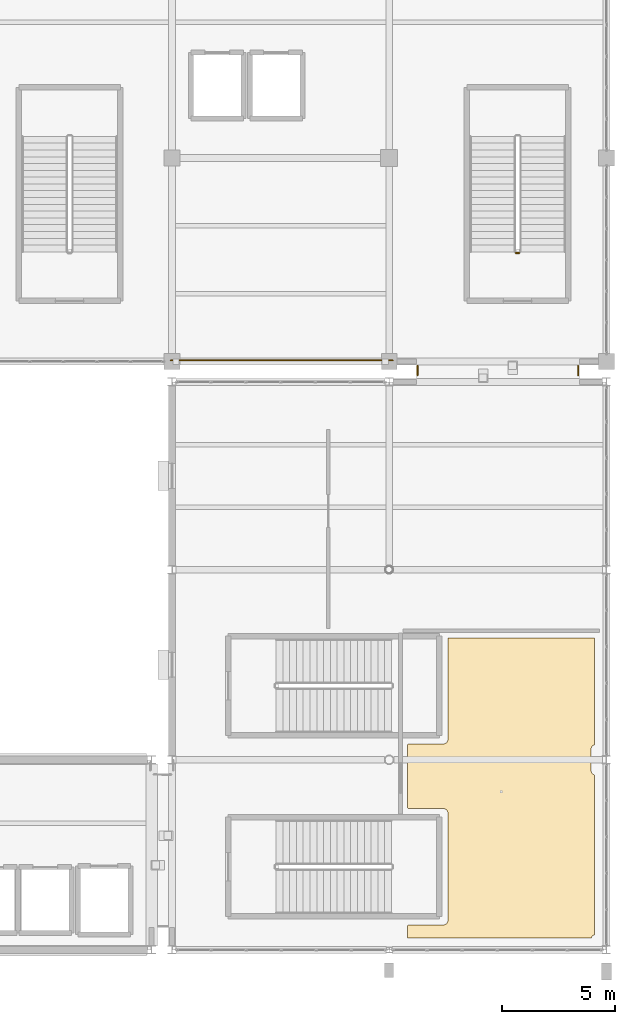
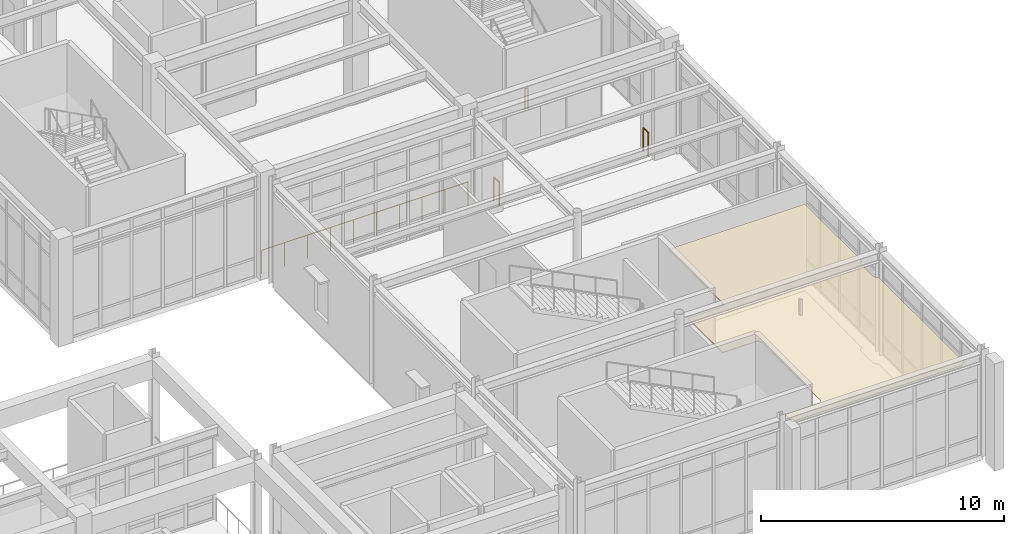
# One storey, part 76 of 80: 4 railings, 1 covering.
"""IFC4 building model written with IfcOpenShell, lengths in metres."""

import ifcopenshell
import ifcopenshell.guid

model = None  # the IFC model being written
_history = None  # IfcOwnerHistory: only IFC2X3 demands one
_inside = {}  # id of a spatial element -> (the spatial element, [elements in it])
_under = {}  # id of a project, library or spatial element -> (it, [spatial elements below it])
_declared = {}  # id of a project -> (the project, [libraries it declares])
_typed = {}  # id of a type object -> (the type object, [elements of that type])
_made_of = {}  # id of a material, layer set ... -> (it, [elements and type objects made of it])


def new_model(schema):
    """Start an empty IFC model of exactly this schema.

    Asked for "IFC4X3", IfcOpenShell would pick the latest addendum, in which some entities
    have other attributes; the version numbers below select the first issue.
    IFC2X3 requires an IfcOwnerHistory on every rooted entity: one is made here for all.
    """
    global model, _history
    if schema == "IFC4X3":
        model = ifcopenshell.file(schema_version=(4, 3, 0, 0))
    else:
        model = ifcopenshell.file(schema=schema)
    _inside.clear()
    _under.clear()
    _declared.clear()
    _typed.clear()
    _made_of.clear()
    _history = None
    if model.schema == "IFC2X3":
        org = make("IfcOrganization", Name="unknown")
        user = make(
            "IfcPersonAndOrganization",
            ThePerson=make("IfcPerson", FamilyName="unknown"),
            TheOrganization=org,
        )
        app = make(
            "IfcApplication",
            ApplicationDeveloper=org,
            Version="unknown",
            ApplicationFullName="unknown",
            ApplicationIdentifier="unknown",
        )
        _history = make(
            "IfcOwnerHistory",
            OwningUser=user,
            OwningApplication=app,
            ChangeAction="ADDED",
            CreationDate=0,
        )
    return model


def make(cls, **values):
    """One entity of the class cls with the attributes given. An attribute that is None is left unset."""
    return model.create_entity(
        cls, **{name: value for name, value in values.items() if value is not None}
    )


def rooted(cls, **values):
    """An entity with a GlobalId (a new one), such as an element, a storey or a relation."""
    return make(cls, GlobalId=ifcopenshell.guid.new(), OwnerHistory=_history, **values)


def si_unit(unit_type, name, prefix=None):
    """IfcSIUnit, for example si_unit("LENGTHUNIT", "METRE", prefix="MILLI")."""
    return make("IfcSIUnit", UnitType=unit_type, Prefix=prefix, Name=name)


def assignment(units):
    """IfcUnitAssignment: the units of a project."""
    return None if units is None else make("IfcUnitAssignment", Units=units)


def point(xyz):
    """IfcCartesianPoint."""
    return None if xyz is None else make("IfcCartesianPoint", Coordinates=xyz)


def direction(xyz):
    """IfcDirection."""
    return None if xyz is None else make("IfcDirection", DirectionRatios=xyz)


def frame(location, z_axis=None, x_axis=None):
    """IfcAxis2Placement3D, a coordinate frame: its origin and axes. An axis left out is left unset."""
    return make(
        "IfcAxis2Placement3D",
        Location=point(location),
        Axis=direction(z_axis),
        RefDirection=direction(x_axis),
    )


def frame_2d(location, x_axis=None):
    """IfcAxis2Placement2D, a coordinate frame in the plane: its origin and x axis."""
    return make(
        "IfcAxis2Placement2D", Location=point(location), RefDirection=direction(x_axis)
    )


def origin():
    """The frame at (0, 0, 0) with its axes left unset."""
    return frame((0.0, 0.0, 0.0))


def origin_2d():
    """The frame at (0, 0) in the plane with its x axis left unset."""
    return frame_2d((0.0, 0.0))


def place(relative_to, where):
    """IfcLocalPlacement: puts the frame where relative to a parent placement (None: the world)."""
    return make(
        "IfcLocalPlacement", PlacementRelTo=relative_to, RelativePlacement=where
    )


def context(
    kind, dimensions, precision=None, world=None, true_north=None, identifier=None
):
    """IfcGeometricRepresentationContext, for example the 3D "Model" context."""
    return make(
        "IfcGeometricRepresentationContext",
        ContextIdentifier=identifier,
        ContextType=kind,
        CoordinateSpaceDimension=dimensions,
        Precision=precision,
        WorldCoordinateSystem=world,
        TrueNorth=true_north,
    )


def subcontext(parent, identifier, kind, view, scale=None):
    """IfcGeometricRepresentationSubContext, for example "Body" below "Model"."""
    return make(
        "IfcGeometricRepresentationSubContext",
        ContextIdentifier=identifier,
        ContextType=kind,
        ParentContext=parent,
        TargetScale=scale,
        TargetView=view,
    )


def project(units=None, contexts=None):
    """IfcProject with its units and contexts."""
    return rooted(
        "IfcProject",
        Name="project",
        RepresentationContexts=contexts,
        UnitsInContext=assignment(units),
    )


def spatial(cls, under=None, at=None, **own):
    """A site, building, storey or space (cls), placed at a placement, below another one or the project."""
    s = rooted(cls, ObjectPlacement=at, **own)
    if under is not None:
        _under.setdefault(under.id(), (under, []))[1].append(s)
    return s


def polyline(points):
    """IfcPolyline through the points."""
    return make("IfcPolyline", Points=[point(p) for p in points])


def profile(cls, at=None, kind="AREA", **sizes):
    """A parametric profile (cls). Its sizes go by their IFC names, for example OverallWidth=200.0."""
    return make(cls, ProfileType=kind, Position=at, **sizes)


def circle(**sizes):
    """IfcCircleProfileDef."""
    return profile("IfcCircleProfileDef", **sizes)


def outline(outer, holes=None, kind="AREA"):
    """IfcArbitraryClosedProfileDef: a profile drawn as a closed curve; with holes, ...WithVoids."""
    if holes is None:
        return make("IfcArbitraryClosedProfileDef", ProfileType=kind, OuterCurve=outer)
    return make(
        "IfcArbitraryProfileDefWithVoids",
        ProfileType=kind,
        OuterCurve=outer,
        InnerCurves=holes,
    )


def extrude(swept, where, along, depth):
    """IfcExtrudedAreaSolid: the profile swept, set in the frame where, extruded along a direction by depth."""
    return make(
        "IfcExtrudedAreaSolid",
        SweptArea=swept,
        Position=where,
        ExtrudedDirection=direction(along),
        Depth=depth,
    )


def shape(context_of_items, identifier, shape_type, items):
    """IfcShapeRepresentation: the items that make up one representation, for example the "Body"."""
    return make(
        "IfcShapeRepresentation",
        ContextOfItems=context_of_items,
        RepresentationIdentifier=identifier,
        RepresentationType=shape_type,
        Items=items,
    )


def material(Name=None, Category=None):
    """IfcMaterial."""
    return make("IfcMaterial", Name=Name, Category=Category)


def layer(
    of_material, thickness, ventilated=None, Name=None, Category=None, Priority=None
):
    """IfcMaterialLayer: one layer of a wall or slab, of a material (None: an air gap)."""
    return make(
        "IfcMaterialLayer",
        Material=of_material,
        LayerThickness=thickness,
        IsVentilated=ventilated,
        Name=Name,
        Category=Category,
        Priority=Priority,
    )


def layer_set(layers, Name=None):
    """IfcMaterialLayerSet."""
    return make("IfcMaterialLayerSet", MaterialLayers=layers, LayerSetName=Name)


def made_of(thing, what):
    """Note that an element or type object is made of a material, layer set ...; save() writes the relation."""
    if what is not None:
        _made_of.setdefault(what.id(), (what, []))[1].append(thing)
    return thing


def type_object(cls, material=None, **own):
    """A type object (cls), such as IfcWallType, which elements share."""
    return made_of(rooted(cls, **own), material)


def element(
    cls,
    number,
    at=None,
    inside=None,
    cuts=None,
    type_object=None,
    material=None,
    context=None,
    identifier="Body",
    shape_type=None,
    held_by="IfcProductDefinitionShape",
    body=None,
    shapes=None,
    **own,
):
    """One element of the class cls, such as IfcWall. Its Tag is "e" and its number.

    at: its placement. inside: the storey or other place that contains it. cuts: it is an
    opening in that element (IfcRelVoidsElement). A single representation is given by context,
    identifier, shape_type and body (its items); several are given by shapes. held_by: the class
    of the entity that holds the representations. save() writes the other relations.
    """
    e = rooted(cls, Tag="e%d" % number, ObjectPlacement=at, **own)
    if body is not None:
        shapes = [shape(context, identifier, shape_type, body)]
    if shapes is not None:
        e.Representation = make(held_by, Representations=shapes)
    if inside is not None:
        _inside.setdefault(inside.id(), (inside, []))[1].append(e)
    if cuts is not None:
        rooted(
            "IfcRelVoidsElement", RelatingBuildingElement=cuts, RelatedOpeningElement=e
        )
    if type_object is not None:
        _typed.setdefault(type_object.id(), (type_object, []))[1].append(e)
    return made_of(e, material)


def aggregate(whole, parts):
    """IfcRelAggregates: a whole, such as a stair, and the parts it consists of."""
    return rooted("IfcRelAggregates", RelatingObject=whole, RelatedObjects=parts)


def save(model, path):
    """Write the relations noted so far, then the file.

    IfcRelAggregates (storeys below a building ...), IfcRelContainedInSpatialStructure (elements
    in a storey), IfcRelDefinesByType, IfcRelAssociatesMaterial and IfcRelDeclares: one each for
    every whole, place, type object, material and project.
    """
    for whole, parts in _under.values():
        aggregate(whole, parts)
    for where, things in _inside.values():
        rooted(
            "IfcRelContainedInSpatialStructure",
            RelatedElements=things,
            RelatingStructure=where,
        )
    for kind, things in _typed.values():
        rooted("IfcRelDefinesByType", RelatedObjects=things, RelatingType=kind)
    for what, things in _made_of.values():
        rooted("IfcRelAssociatesMaterial", RelatedObjects=things, RelatingMaterial=what)
    for by, libraries in _declared.values():
        rooted("IfcRelDeclares", RelatingContext=by, RelatedDefinitions=libraries)
    model.write(path)


model = new_model("IFC4")

# Units and contexts
model_context = context("Model", 3, precision=1e-05, world=origin(), true_north=direction((0.0, 1.0)))
body_context = subcontext(model_context, "Body", "Model", "MODEL_VIEW")
ifc_project = project(units=[si_unit("LENGTHUNIT", "METRE"), si_unit("AREAUNIT", "SQUARE_METRE"), si_unit("VOLUMEUNIT", "CUBIC_METRE"), si_unit("PLANEANGLEUNIT", "RADIAN"), si_unit("MASSUNIT", "GRAM", prefix="KILO")], contexts=[model_context])

# Site, building, storey
site_placement = place(None, origin())
site = spatial("IfcSite", under=ifc_project, at=site_placement, CompositionType="ELEMENT")
building_placement = place(site_placement, origin())
building = spatial("IfcBuilding", under=site, at=building_placement, Name="Canglan Escarpment Cableway Terminal", CompositionType="ELEMENT")
storey_placement = place(building_placement, frame((0.0, 0.0, 19.199951171875)))
storey = spatial("IfcBuildingStorey", under=building, at=storey_placement, Name="L04", CompositionType="ELEMENT", Elevation=19.199951171875)

# Covering
ifc_material_1 = material(Name="Micro-perforated acoustic aluminium ceiling", Category="aluminium")
ifc_layer = layer(ifc_material_1, 0.0400390625, Name="Micro-perforated acoustic aluminium ceiling")
ifc_layer_set = layer_set([ifc_layer], Name="Micro-perforated acoustic aluminium ceiling")
covering_type = type_object("IfcCoveringType", Name="COV-CEIL-ACOUSTIC-40", PredefinedType="CEILING", material=ifc_layer_set)
covering_placement = place(storey_placement, frame((0.0, 0.0, 4.340087890625)))
element("IfcCovering", 1, at=covering_placement, inside=storey, type_object=covering_type, Name="Commercial Kitchen suspended acoustic ceiling", PredefinedType="CEILING", context=body_context, shape_type="SweptSolid", body=[
    extrude(outline(polyline([(165.73291015625, 8.533203125), (165.732177734375, 8.531494140625), (165.731201171875, 8.529541015625), (165.72998046875, 8.52783203125), (165.728515625, 8.5263671875), (165.72705078125, 8.52490234375), (165.7255859375, 8.523681640625), (165.723876953125, 8.522705078125), (165.721923828125, 8.521728515625), (165.719970703125, 8.52099609375), (165.718017578125, 8.5205078125), (165.716064453125, 8.52001953125), (165.714111328125, 8.52001953125), (157.639892578125, 8.52001953125), (157.637939453125, 8.52001953125), (157.635986328125, 8.5205078125), (157.63427734375, 8.52099609375), (157.63232421875, 8.521484375), (157.630615234375, 8.5224609375), (157.62890625, 8.5234375), (157.627197265625, 8.5244140625), (157.6259765625, 8.52587890625), (157.62451171875, 8.52734375), (157.623291015625, 8.52880859375), (157.622314453125, 8.530517578125), (157.62158203125, 8.5322265625), (157.620849609375, 8.5341796875), (157.620361328125, 8.5361328125), (157.6201171875, 8.5380859375), (157.6201171875, 8.5400390625), (157.6201171875, 9.080078125), (157.6201171875, 9.08203125), (157.620361328125, 9.083984375), (157.620849609375, 9.085693359375), (157.62158203125, 9.087646484375), (157.622314453125, 9.08935546875), (157.623291015625, 9.091064453125), (157.62451171875, 9.0927734375), (157.6259765625, 9.093994140625), (157.627197265625, 9.095458984375), (157.62890625, 9.0966796875), (157.630615234375, 9.09765625), (157.63232421875, 9.098388671875), (157.63427734375, 9.09912109375), (157.635986328125, 9.099609375), (157.637939453125, 9.099853515625), (157.639892578125, 9.10009765625), (159.1796875, 9.10009765625), (159.18017578125, 9.10009765625), (159.201171875, 9.10107421875), (159.201904296875, 9.10107421875), (159.222412109375, 9.104248046875), (159.223388671875, 9.104248046875), (159.243408203125, 9.109375), (159.244384765625, 9.109619140625), (159.263671875, 9.11669921875), (159.2646484375, 9.116943359375), (159.283203125, 9.125732421875), (159.2841796875, 9.126220703125), (159.3017578125, 9.13671875), (159.302490234375, 9.137451171875), (159.319091796875, 9.149658203125), (159.31982421875, 9.150390625), (159.335205078125, 9.1640625), (159.3359375, 9.164794921875), (159.349609375, 9.18017578125), (159.350341796875, 9.180908203125), (159.362548828125, 9.197509765625), (159.36328125, 9.1982421875), (159.373779296875, 9.2158203125), (159.374267578125, 9.216796875), (159.383056640625, 9.2353515625), (159.38330078125, 9.236328125), (159.390380859375, 9.255615234375), (159.390625, 9.256591796875), (159.395751953125, 9.276611328125), (159.395751953125, 9.277587890625), (159.39892578125, 9.298095703125), (159.39892578125, 9.298828125), (159.39990234375, 9.31982421875), (159.39990234375, 9.3203125), (159.39990234375, 14.02978515625), (159.39990234375, 14.0302734375), (159.39892578125, 14.051025390625), (159.39892578125, 14.052001953125), (159.395751953125, 14.072509765625), (159.395751953125, 14.073486328125), (159.390625, 14.093505859375), (159.390380859375, 14.09423828125), (159.38330078125, 14.11376953125), (159.383056640625, 14.114501953125), (159.374267578125, 14.13330078125), (159.373779296875, 14.134033203125), (159.36328125, 14.15185546875), (159.362548828125, 14.152587890625), (159.350341796875, 14.169189453125), (159.349609375, 14.169921875), (159.3359375, 14.185302734375), (159.335205078125, 14.185791015625), (159.31982421875, 14.19970703125), (159.319091796875, 14.200439453125), (159.302490234375, 14.212646484375), (159.3017578125, 14.213134765625), (159.2841796875, 14.223876953125), (159.283203125, 14.22412109375), (159.2646484375, 14.23291015625), (159.263671875, 14.2333984375), (159.244384765625, 14.240478515625), (159.243408203125, 14.240478515625), (159.223388671875, 14.24560546875), (159.222412109375, 14.245849609375), (159.201904296875, 14.248779296875), (159.201171875, 14.2490234375), (159.18017578125, 14.25), (159.1796875, 14.25), (157.639892578125, 14.25), (157.637939453125, 14.25), (157.635986328125, 14.25048828125), (157.63427734375, 14.2509765625), (157.63232421875, 14.25146484375), (157.630615234375, 14.25244140625), (157.62890625, 14.25341796875), (157.627197265625, 14.25439453125), (157.6259765625, 14.255859375), (157.62451171875, 14.25732421875), (157.623291015625, 14.2587890625), (157.622314453125, 14.260498046875), (157.62158203125, 14.26220703125), (157.620849609375, 14.26416015625), (157.620361328125, 14.26611328125), (157.6201171875, 14.26806640625), (157.6201171875, 14.27001953125), (157.6201171875, 17.080078125), (157.6201171875, 17.08203125), (157.620361328125, 17.083984375), (157.620849609375, 17.085693359375), (157.62158203125, 17.087646484375), (157.622314453125, 17.08935546875), (157.623291015625, 17.091064453125), (157.62451171875, 17.0927734375), (157.6259765625, 17.093994140625), (157.627197265625, 17.095458984375), (157.62890625, 17.0966796875), (157.630615234375, 17.09765625), (157.63232421875, 17.098388671875), (157.63427734375, 17.09912109375), (157.635986328125, 17.099609375), (157.637939453125, 17.099853515625), (157.639892578125, 17.10009765625), (159.1796875, 17.10009765625), (159.18017578125, 17.10009765625), (159.201171875, 17.10107421875), (159.201904296875, 17.10107421875), (159.222412109375, 17.104248046875), (159.223388671875, 17.104248046875), (159.243408203125, 17.109375), (159.244384765625, 17.109619140625), (159.263671875, 17.11669921875), (159.2646484375, 17.116943359375), (159.283203125, 17.125732421875), (159.2841796875, 17.126220703125), (159.3017578125, 17.13671875), (159.302490234375, 17.137451171875), (159.319091796875, 17.149658203125), (159.31982421875, 17.150390625), (159.335205078125, 17.1640625), (159.3359375, 17.164794921875), (159.349609375, 17.18017578125), (159.350341796875, 17.180908203125), (159.362548828125, 17.197509765625), (159.36328125, 17.1982421875), (159.373779296875, 17.2158203125), (159.374267578125, 17.216796875), (159.383056640625, 17.2353515625), (159.38330078125, 17.236328125), (159.390380859375, 17.255615234375), (159.390625, 17.256591796875), (159.395751953125, 17.276611328125), (159.395751953125, 17.277587890625), (159.39892578125, 17.298095703125), (159.39892578125, 17.298828125), (159.39990234375, 17.31982421875), (159.39990234375, 17.3203125), (159.39990234375, 21.760009765625), (159.400146484375, 21.761962890625), (159.400390625, 21.763916015625), (159.40087890625, 21.765869140625), (159.401611328125, 21.767578125), (159.40234375, 21.769287109375), (159.4033203125, 21.77099609375), (159.404541015625, 21.772705078125), (159.406005859375, 21.774169921875), (159.4072265625, 21.775390625), (159.408935546875, 21.776611328125), (159.41064453125, 21.777587890625), (159.412353515625, 21.778564453125), (159.414306640625, 21.779052734375), (159.416015625, 21.779541015625), (159.41796875, 21.77978515625), (159.419921875, 21.780029296875), (165.860107421875, 21.780029296875), (165.862060546875, 21.77978515625), (165.864013671875, 21.779541015625), (165.86572265625, 21.779052734375), (165.86767578125, 21.778564453125), (165.869384765625, 21.777587890625), (165.87109375, 21.776611328125), (165.872802734375, 21.775390625), (165.8740234375, 21.774169921875), (165.87548828125, 21.772705078125), (165.876708984375, 21.77099609375), (165.877685546875, 21.769287109375), (165.87841796875, 21.767578125), (165.879150390625, 21.765869140625), (165.879638671875, 21.763916015625), (165.8798828125, 21.761962890625), (165.8798828125, 21.760009765625), (165.8798828125, 17.0859375), (165.8798828125, 17.083984375), (165.879638671875, 17.082275390625), (165.879150390625, 17.080322265625), (165.878662109375, 17.07861328125), (165.877685546875, 17.076904296875), (165.876953125, 17.0751953125), (165.875732421875, 17.07373046875), (165.87451171875, 17.072265625), (165.873291015625, 17.071044921875), (165.87158203125, 17.06982421875), (165.8701171875, 17.06884765625), (165.868408203125, 17.06787109375), (165.86669921875, 17.067138671875), (165.856201171875, 17.0634765625), (165.85546875, 17.06298828125), (165.836669921875, 17.05419921875), (165.8359375, 17.0537109375), (165.818115234375, 17.043212890625), (165.8173828125, 17.04248046875), (165.80078125, 17.030517578125), (165.800048828125, 17.02978515625), (165.784912109375, 17.015869140625), (165.7841796875, 17.01513671875), (165.770263671875, 17.0), (165.76953125, 16.999267578125), (165.75732421875, 16.982666015625), (165.7568359375, 16.981689453125), (165.74609375, 16.964111328125), (165.745849609375, 16.96337890625), (165.737060546875, 16.944580078125), (165.736572265625, 16.943603515625), (165.7294921875, 16.92431640625), (165.7294921875, 16.92333984375), (165.724365234375, 16.9033203125), (165.72412109375, 16.90234375), (165.72119140625, 16.882080078125), (165.720947265625, 16.881103515625), (165.719970703125, 16.860107421875), (165.719970703125, 16.85986328125), (165.719970703125, 15.940185546875), (165.719970703125, 15.939697265625), (165.720947265625, 15.9189453125), (165.72119140625, 15.91796875), (165.72412109375, 15.897705078125), (165.724365234375, 15.896484375), (165.7294921875, 15.876708984375), (165.7294921875, 15.875732421875), (165.736572265625, 15.856201171875), (165.737060546875, 15.85546875), (165.745849609375, 15.836669921875), (165.74609375, 15.8359375), (165.7568359375, 15.818115234375), (165.75732421875, 15.8173828125), (165.76953125, 15.80078125), (165.770263671875, 15.800048828125), (165.7841796875, 15.784912109375), (165.784912109375, 15.7841796875), (165.800048828125, 15.770263671875), (165.80078125, 15.76953125), (165.8173828125, 15.75732421875), (165.818115234375, 15.7568359375), (165.8359375, 15.74609375), (165.836669921875, 15.745849609375), (165.85546875, 15.737060546875), (165.856201171875, 15.736572265625), (165.86669921875, 15.73291015625), (165.868408203125, 15.732177734375), (165.8701171875, 15.731201171875), (165.87158203125, 15.730224609375), (165.873291015625, 15.72900390625), (165.87451171875, 15.727783203125), (165.875732421875, 15.726318359375), (165.876953125, 15.724609375), (165.877685546875, 15.72314453125), (165.878662109375, 15.721435546875), (165.879150390625, 15.719482421875), (165.879638671875, 15.7177734375), (165.8798828125, 15.7158203125), (165.8798828125, 15.714111328125), (165.8798828125, 8.68603515625), (165.8798828125, 8.68408203125), (165.879638671875, 8.68212890625), (165.879150390625, 8.680419921875), (165.878662109375, 8.6787109375), (165.877685546875, 8.677001953125), (165.876953125, 8.67529296875), (165.875732421875, 8.673583984375), (165.87451171875, 8.67236328125), (165.873291015625, 8.6708984375), (165.87158203125, 8.669921875), (165.8701171875, 8.668701171875), (165.868408203125, 8.66796875), (165.86669921875, 8.667236328125), (165.856201171875, 8.663330078125), (165.85546875, 8.6630859375), (165.836669921875, 8.654296875), (165.8359375, 8.65380859375), (165.818115234375, 8.643310546875), (165.8173828125, 8.642578125), (165.80078125, 8.63037109375), (165.800048828125, 8.629638671875), (165.784912109375, 8.615966796875), (165.7841796875, 8.615234375), (165.770263671875, 8.599853515625), (165.76953125, 8.59912109375), (165.75732421875, 8.58251953125), (165.7568359375, 8.581787109375), (165.74609375, 8.564208984375), (165.745849609375, 8.563232421875), (165.737060546875, 8.544677734375), (165.736572265625, 8.543701171875), (165.73291015625, 8.533203125)])), origin(), (0.0, 0.0, 1.0), 0.0400390625),
])

# Railings
ifc_material_2 = material(Name="Carved limestone and anodized bronze balustrade", Category="masonry")
railing_type_1 = type_object("IfcRailingType", Name="RL-EXT-BALUSTRADE-1200", PredefinedType="BALUSTRADE", material=ifc_material_2)
railing_1_placement = place(storey_placement, frame((158.050048828125, 33.389892578125, 0.0)))
element("IfcRailing", 2, at=railing_1_placement, inside=storey, type_object=railing_type_1, Name="Classical terrace balustrade guard GD-01 (L04)", PredefinedType="BALUSTRADE", context=body_context, shape_type="SweptSolid", body=[
    extrude(circle(Radius=0.02392578125, at=origin_2d()), frame((0.0, 0.0, 1.17578125), z_axis=(0.0, 1.0, 0.0), x_axis=(-1.0, 0.0, 0.0)), (0.0, 0.0, 1.0), 0.420166015625),
    extrude(circle(Radius=0.02099609375, at=origin_2d()), origin(), (0.0, 0.0, 1.0), 1.15185546875),
    extrude(circle(Radius=0.02099609375, at=origin_2d()), frame((0.0, 0.420166015625, 0.0)), (0.0, 0.0, 1.0), 1.15185546875),
])
railing_2_placement = place(storey_placement, frame((156.9599609375, 34.050048828125, 0.0)))
element("IfcRailing", 3, at=railing_2_placement, inside=storey, type_object=railing_type_1, Name="Classical terrace balustrade guard GD-01 (L04)", PredefinedType="BALUSTRADE", context=body_context, shape_type="SweptSolid", body=[
    extrude(circle(Radius=0.02392578125, at=origin_2d()), frame((0.0, 0.0, 1.17578125), z_axis=(-1.0, 0.0, 0.0), x_axis=(0.0, -1.0, 0.0)), (0.0, 0.0, 1.0), 9.820068359375),
    extrude(circle(Radius=0.02099609375, at=origin_2d()), origin(), (0.0, 0.0, 1.0), 1.15185546875),
    extrude(circle(Radius=0.02099609375, at=origin_2d()), frame((-1.091064453125, 0.0, 0.0)), (0.0, 0.0, 1.0), 1.15185546875),
    extrude(circle(Radius=0.02099609375, at=origin_2d()), frame((-2.18212890625, 0.0, 0.0)), (0.0, 0.0, 1.0), 1.15185546875),
    extrude(circle(Radius=0.02099609375, at=origin_2d()), frame((-3.2734375, 0.0, 0.0)), (0.0, 0.0, 1.0), 1.15185546875),
    extrude(circle(Radius=0.02099609375, at=origin_2d()), frame((-4.364501953125, 0.0, 0.0)), (0.0, 0.0, 1.0), 1.15185546875),
    extrude(circle(Radius=0.02099609375, at=origin_2d()), frame((-5.45556640625, 0.0, 0.0)), (0.0, 0.0, 1.0), 1.15185546875),
    extrude(circle(Radius=0.02099609375, at=origin_2d()), frame((-6.546630859375, 0.0, 0.0)), (0.0, 0.0, 1.0), 1.15185546875),
    extrude(circle(Radius=0.02099609375, at=origin_2d()), frame((-7.637939453125, 0.0, 0.0)), (0.0, 0.0, 1.0), 1.15185546875),
    extrude(circle(Radius=0.02099609375, at=origin_2d()), frame((-8.72900390625, 0.0, 0.0)), (0.0, 0.0, 1.0), 1.15185546875),
    extrude(circle(Radius=0.02099609375, at=origin_2d()), frame((-9.820068359375, 0.0, 0.0)), (0.0, 0.0, 1.0), 1.15185546875),
])
railing_3_placement = place(storey_placement, frame((165.14990234375, 33.81005859375, 0.0)))
element("IfcRailing", 4, at=railing_3_placement, inside=storey, type_object=railing_type_1, Name="Classical terrace balustrade guard GD-01 (L04)", PredefinedType="BALUSTRADE", context=body_context, shape_type="SweptSolid", body=[
    extrude(circle(Radius=0.02392578125, at=origin_2d()), frame((0.0, 0.0, 1.17578125), z_axis=(0.0, -1.0, 0.0), x_axis=(1.0, 0.0, 0.0)), (0.0, 0.0, 1.0), 0.420166015625),
    extrude(circle(Radius=0.02099609375, at=origin_2d()), origin(), (0.0, 0.0, 1.0), 1.15185546875),
    extrude(circle(Radius=0.02099609375, at=origin_2d()), frame((0.0, -0.420166015625, 0.0)), (0.0, 0.0, 1.0), 1.15185546875),
])
ifc_material_3 = material(Name="Powder-coated steel stair balustrade", Category="steel")
railing_type_2 = type_object("IfcRailingType", Name="RL-STR-GUARD-1100", PredefinedType="BALUSTRADE", material=ifc_material_3)
railing_4_placement = place(storey_placement, frame((162.550048828125, 38.800048828125, 0.0)))
element("IfcRailing", 5, at=railing_4_placement, inside=storey, type_object=railing_type_2, Name="L04 ST-15 stair guard 4", PredefinedType="BALUSTRADE", context=body_context, shape_type="SweptSolid", body=[
    extrude(circle(Radius=0.02392578125, at=origin_2d()), frame((0.0, 0.0, 1.076171875), z_axis=(-1.0, 0.0, 0.0), x_axis=(0.0, -1.0, 0.0)), (0.0, 0.0, 1.0), 0.150146484375),
    extrude(circle(Radius=0.02099609375, at=origin_2d()), origin(), (0.0, 0.0, 1.0), 1.052001953125),
    extrude(circle(Radius=0.02099609375, at=origin_2d()), frame((-0.150146484375, 0.0, 0.0)), (0.0, 0.0, 1.0), 1.052001953125),
])

save(model, "model.ifc")
